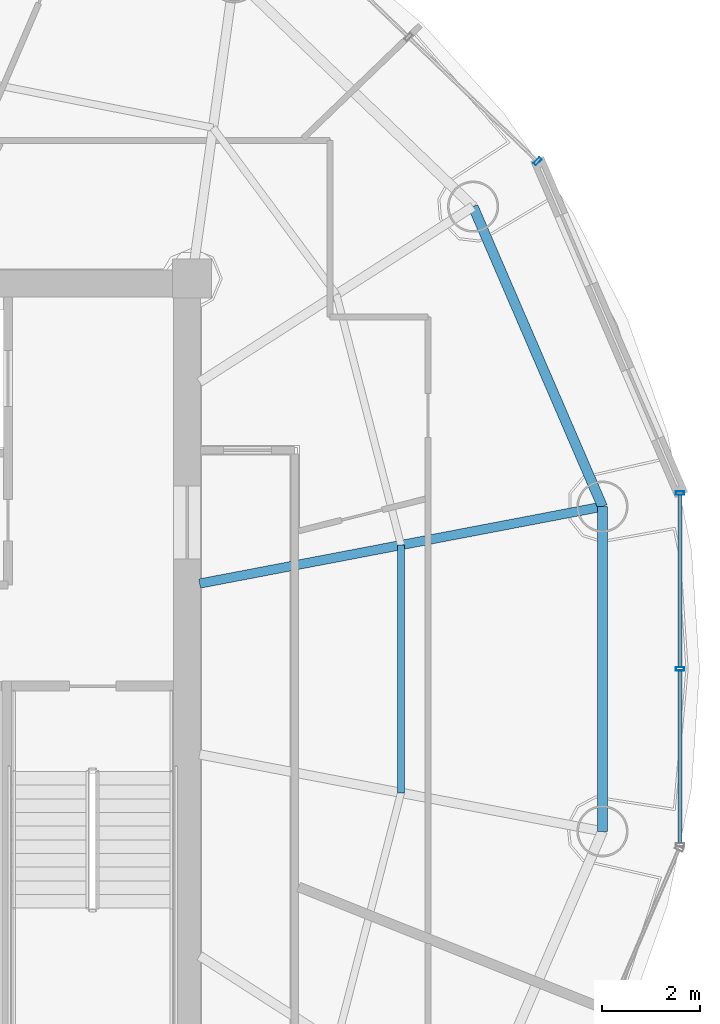
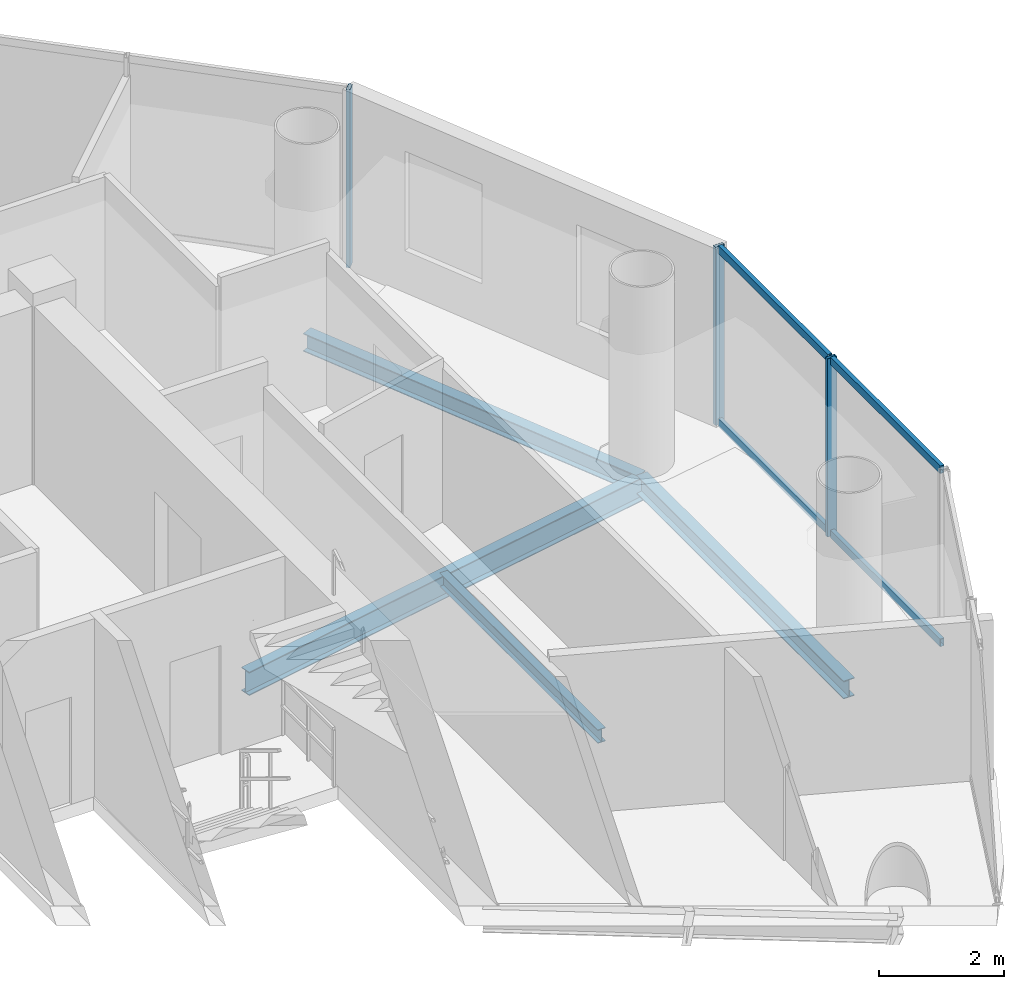
# One storey, part 11 of 23: 7 members, 4 beams, 2 elements without a shape of their own.
"""IFC4 building model written with IfcOpenShell, lengths in metres."""

from ifc_helpers import new_model, si_unit, direction, frame, origin, origin_2d, place, context, subcontext, project, spatial, hollow_rectangle, i_section, extrude, source, transform, mapped, material, material_profile, profile_set, type_object, element, aggregate, save


model = new_model("IFC4")

# Units and contexts
model_context = context("Model", 3, precision=1e-05, world=origin(), true_north=direction((-0.2419218956, 0.970295726276)))
body_context = subcontext(model_context, "Body", "Model", "MODEL_VIEW")
ifc_project = project(units=[si_unit("LENGTHUNIT", "METRE"), si_unit("AREAUNIT", "SQUARE_METRE"), si_unit("VOLUMEUNIT", "CUBIC_METRE"), si_unit("PLANEANGLEUNIT", "RADIAN"), si_unit("MASSUNIT", "GRAM", prefix="KILO")], contexts=[model_context])

# Site, building, storey
site_placement = place(None, origin())
site = spatial("IfcSite", under=ifc_project, at=site_placement, CompositionType="ELEMENT")
building_placement = place(site_placement, origin())
building = spatial("IfcBuilding", under=site, at=building_placement, Name="Cobrevalo Terracotta Tower", CompositionType="ELEMENT")
storey_placement = place(building_placement, frame((0.0, 0.0, 255.699951171875)))
storey = spatial("IfcBuildingStorey", under=building, at=storey_placement, Name="L67", CompositionType="ELEMENT", Elevation=255.699951171875)

# Beams
ifc_material_1 = material(Name="Steel S355", Category="steel")
ifc_material_profile_1 = material_profile(ifc_material_1, i_section(OverallWidth=0.19091796875, OverallDepth=0.4599609375, WebThickness=0.010009765625, FlangeThickness=0.01611328125, at=origin_2d()), Name="W 460x82")
ifc_profile_set_1 = profile_set([ifc_material_profile_1], Name="Steel S355")
beam_type_1 = type_object("IfcBeamType", Name="Structural Beam W 460x82 (Steel S355)", PredefinedType="BEAM", material=ifc_profile_set_1)
beam_1_placement = place(storey_placement, frame((55.408935546875, 30.126220703125, -0.489990234375), z_axis=(-0.982234917636, -0.187655446433, 0.0), x_axis=(0.187655446433, -0.982234917636, 0.0)))
element("IfcBeam", 1, at=beam_1_placement, inside=storey, type_object=beam_type_1, Name="L67 radial floor girder 01", PredefinedType="BEAM", context=body_context, shape_type="SweptSolid", body=[
    extrude(i_section(OverallWidth=0.19091796875, OverallDepth=0.4599609375, WebThickness=0.010009765625, FlangeThickness=0.01611328125, at=origin_2d()), origin(), (0.0, 0.0, 1.0), 8.403076171875),
])
ifc_material_profile_2 = material_profile(ifc_material_1, i_section(OverallWidth=0.14794921875, OverallDepth=0.26611328125, WebThickness=0.007568359375, FlangeThickness=0.012939453125, at=origin_2d()), Name="W 250x44.8")
ifc_profile_set_2 = profile_set([ifc_material_profile_2], Name="Steel S355")
beam_type_2 = type_object("IfcBeamType", Name="Structural Joist W 250x44.8 (Steel S355)", PredefinedType="JOIST", material=ifc_profile_set_2)
beam_2_placement = place(storey_placement, frame((51.281982421875, 24.26220703125, -0.39306640625), z_axis=(0.0, 1.0, 0.0), x_axis=(-1.0, 0.0, 0.0)))
element("IfcBeam", 2, at=beam_2_placement, inside=storey, type_object=beam_type_2, Name="L67 circumferential secondary floor joist 16", PredefinedType="JOIST", context=body_context, shape_type="SweptSolid", body=[
    extrude(i_section(OverallWidth=0.14794921875, OverallDepth=0.26611328125, WebThickness=0.007568359375, FlangeThickness=0.012939453125, at=origin_2d()), origin(), (0.0, 0.0, 1.0), 5.075439453125),
])
ifc_material_profile_3 = material_profile(ifc_material_1, i_section(OverallWidth=0.205078125, OverallDepth=0.35400390625, WebThickness=0.009521484375, FlangeThickness=0.016845703125, at=origin_2d()), Name="W 360x79")
ifc_profile_set_3 = profile_set([ifc_material_profile_3], Name="Steel S355")
beam_type_3 = type_object("IfcBeamType", Name="Structural Spandrel W 360x79 (Steel S355)", PredefinedType="SPANDREL", material=ifc_profile_set_3)
beam_3_placement = place(storey_placement, frame((55.408935546875, 30.126220703125, -0.43701171875), z_axis=(-0.395974127655, 0.918261667624, 0.0), x_axis=(-0.918261667624, -0.395974127655, 0.0)))
element("IfcBeam", 3, at=beam_3_placement, inside=storey, type_object=beam_type_3, Name="L67 perimeter ring spandrel 01", PredefinedType="SPANDREL", context=body_context, shape_type="SweptSolid", body=[
    extrude(i_section(OverallWidth=0.205078125, OverallDepth=0.35400390625, WebThickness=0.009521484375, FlangeThickness=0.016845703125, at=origin_2d()), origin(), (0.0, 0.0, 1.0), 6.693359375),
])
beam_4_placement = place(storey_placement, frame((55.408935546875, 23.4736328125, -0.43701171875), z_axis=(0.0, 1.0, 0.0), x_axis=(-1.0, 0.0, 0.0)))
element("IfcBeam", 4, at=beam_4_placement, inside=storey, type_object=beam_type_3, Name="L67 perimeter ring spandrel 16", PredefinedType="SPANDREL", context=body_context, shape_type="SweptSolid", body=[
    extrude(i_section(OverallWidth=0.205078125, OverallDepth=0.35400390625, WebThickness=0.009521484375, FlangeThickness=0.016845703125, at=origin_2d()), origin(), (0.0, 0.0, 1.0), 6.652587890625),
])

# Curtain wall, member
ifc_material_2 = material(Name="Anodized aluminium", Category="aluminium")
curtain_wall_type = type_object("IfcCurtainWallType", Name="Upper-tower triple-glazed penthouse curtain wall CW-U3", PredefinedType="NOTDEFINED", material=ifc_material_2)
curtain_wall_1_placement = place(storey_placement, origin())
curtain_wall_1 = element("IfcCurtainWall", 5, at=curtain_wall_1_placement, inside=storey, type_object=curtain_wall_type, Name="L67 curtain wall CW-L67-S02", PredefinedType="NOTDEFINED")
ifc_material_profile_4 = material_profile(ifc_material_2, hollow_rectangle(XDim=0.070068359375, YDim=0.169921875, WallThickness=0.00439453125, at=origin_2d()), Name="CWM 70x170")
ifc_profile_set_4 = profile_set([ifc_material_profile_4], Name="Anodized aluminium")
member_type_1 = type_object("IfcMemberType", Name="Upper tower unitised mullion 70x170", PredefinedType="MULLION", material=ifc_profile_set_4)
shared_shape_1 = source(origin(), body_context, "Body", "SweptSolid", [
    extrude(hollow_rectangle(XDim=0.070068359375, YDim=0.169921875, WallThickness=0.00439453125, at=origin_2d()), origin(), (0.0, 0.0, 1.0), 3.489990234375),
])
member_1_placement = place(storey_placement, frame((54.07666015625, 37.2001953125, 0.0), z_axis=(0.0, 0.0, 1.0), x_axis=(-0.71999418085, 0.69398010025, 0.0)))
member_1 = element("IfcMember", 6, at=member_1_placement, type_object=member_type_1, Name="CW-L67-S02 vertical mullion 01", PredefinedType="MULLION", context=body_context, shape_type="MappedRepresentation", body=[
    mapped(shared_shape_1, transform((0.0, 0.0, 0.0), scale=1.0)),
])
aggregate(curtain_wall_1, [member_1])

# Curtain wall, members
curtain_wall_2_placement = place(storey_placement, origin())
curtain_wall_2 = element("IfcCurtainWall", 7, at=curtain_wall_2_placement, inside=storey, type_object=curtain_wall_type, Name="L67 curtain wall CW-L67-S16", PredefinedType="NOTDEFINED")
member_2_placement = place(storey_placement, frame((56.997802734375, 26.800048828125, 0.0), z_axis=(0.0, 0.0, 1.0), x_axis=(0.0, 1.0, 0.0)))
member_2 = element("IfcMember", 8, at=member_2_placement, type_object=member_type_1, Name="CW-L67-S16 vertical mullion 02", PredefinedType="MULLION", context=body_context, shape_type="MappedRepresentation", body=[
    mapped(shared_shape_1, transform((0.0, 0.0, 0.0), scale=1.0)),
])
member_3_placement = place(storey_placement, frame((56.997802734375, 30.40234375, 0.0), z_axis=(0.0, 0.0, 1.0), x_axis=(0.0, 1.0, 0.0)))
member_3 = element("IfcMember", 9, at=member_3_placement, type_object=member_type_1, Name="CW-L67-S16 vertical mullion 03", PredefinedType="MULLION", context=body_context, shape_type="MappedRepresentation", body=[
    mapped(shared_shape_1, transform((0.0, 0.0, 0.0), scale=1.0)),
])
ifc_material_profile_5 = material_profile(ifc_material_2, hollow_rectangle(XDim=0.074951171875, YDim=0.14990234375, WallThickness=0.00439453125, at=origin_2d()), Name="CWT 75x150")
ifc_profile_set_5 = profile_set([ifc_material_profile_5], Name="Anodized aluminium")
member_type_2 = type_object("IfcMemberType", Name="Tower unitised aluminium transom 75x150", PredefinedType="USERDEFINED", material=ifc_profile_set_5)
shared_shape_2 = source(origin(), body_context, "Body", "SweptSolid", [
    extrude(hollow_rectangle(XDim=0.074951171875, YDim=0.14990234375, WallThickness=0.00439453125, at=origin_2d()), origin(), (0.0, 0.0, 1.0), 3.522216796875),
])
member_4_placement = place(storey_placement, frame((56.997802734375, 26.840087890625, 0.050048828125), z_axis=(0.0, 1.0, 0.0), x_axis=(-1.0, 0.0, 0.0)))
member_4 = element("IfcMember", 10, at=member_4_placement, type_object=member_type_2, Name="CW-L67-S16 transom B02-T1", ObjectType="TRANSOM", PredefinedType="USERDEFINED", context=body_context, shape_type="MappedRepresentation", body=[
    mapped(shared_shape_2, transform((0.0, 0.0, 0.0), scale=1.0)),
])
member_5_placement = place(storey_placement, frame((56.997802734375, 26.840087890625, 3.43994140625), z_axis=(0.0, 1.0, 0.0), x_axis=(-1.0, 0.0, 0.0)))
member_5 = element("IfcMember", 11, at=member_5_placement, type_object=member_type_2, Name="CW-L67-S16 transom B02-T2", ObjectType="TRANSOM", PredefinedType="USERDEFINED", context=body_context, shape_type="MappedRepresentation", body=[
    mapped(shared_shape_2, transform((0.0, 0.0, 0.0), scale=1.0)),
])
shared_shape_3 = source(origin(), body_context, "Body", "SweptSolid", [
    extrude(hollow_rectangle(XDim=0.074951171875, YDim=0.14990234375, WallThickness=0.00439453125, at=origin_2d()), origin(), (0.0, 0.0, 1.0), 3.5224609375),
])
member_6_placement = place(storey_placement, frame((56.997802734375, 23.237548828125, 0.050048828125), z_axis=(0.0, 1.0, 0.0), x_axis=(-1.0, 0.0, 0.0)))
member_6 = element("IfcMember", 12, at=member_6_placement, type_object=member_type_2, Name="CW-L67-S16 transom B01-T1", ObjectType="TRANSOM", PredefinedType="USERDEFINED", context=body_context, shape_type="MappedRepresentation", body=[
    mapped(shared_shape_3, transform((0.0, 0.0, 0.0), scale=1.0)),
])
member_7_placement = place(storey_placement, frame((56.997802734375, 23.237548828125, 3.43994140625), z_axis=(0.0, 1.0, 0.0), x_axis=(-1.0, 0.0, 0.0)))
member_7 = element("IfcMember", 13, at=member_7_placement, type_object=member_type_2, Name="CW-L67-S16 transom B01-T2", ObjectType="TRANSOM", PredefinedType="USERDEFINED", context=body_context, shape_type="MappedRepresentation", body=[
    mapped(shared_shape_3, transform((0.0, 0.0, 0.0), scale=1.0)),
])
aggregate(curtain_wall_2, [member_2, member_3, member_6, member_7, member_4, member_5])

save(model, "model.ifc")
